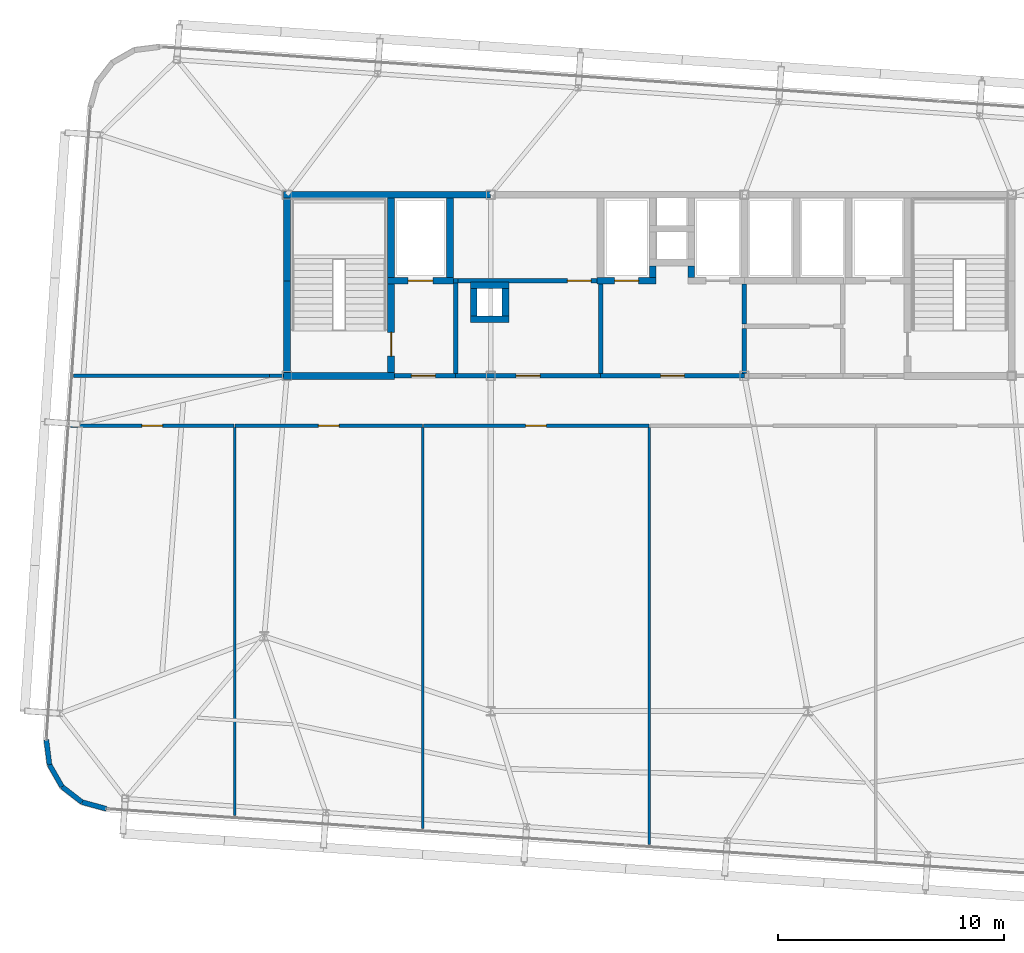
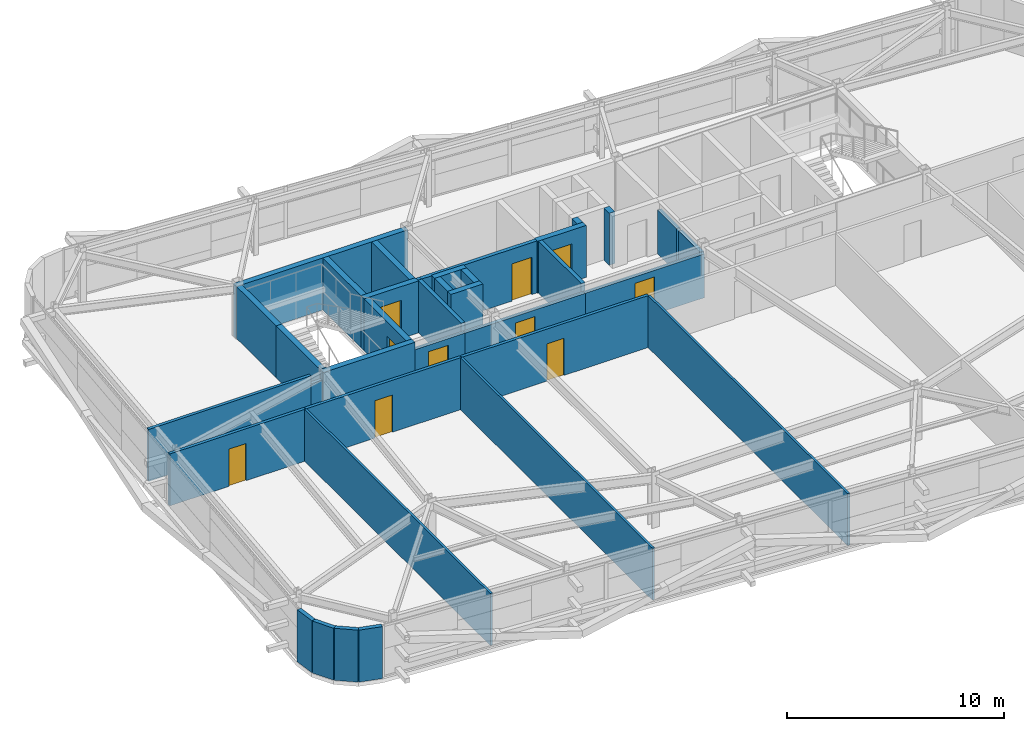
# One storey, part 35 of 39: 36 walls, 10 doors, 10 openings.
"""IFC4 building model written with IfcOpenShell, lengths in metres."""

from ifc_helpers import new_model, si_unit, direction, frame, frame_2d, origin, place, context, subcontext, project, spatial, rectangle, extrude, source, transform, mapped, material, layer, layer_set, type_object, element, fill, save


model = new_model("IFC4")

# Units and contexts
model_context = context("Model", 3, precision=1e-05, world=origin(), true_north=direction((0.0, 1.0)))
body_context = subcontext(model_context, "Body", "Model", "MODEL_VIEW")
ifc_project = project(units=[si_unit("LENGTHUNIT", "METRE"), si_unit("AREAUNIT", "SQUARE_METRE"), si_unit("VOLUMEUNIT", "CUBIC_METRE"), si_unit("PLANEANGLEUNIT", "RADIAN"), si_unit("MASSUNIT", "GRAM", prefix="KILO")], contexts=[model_context])

# Site, building, storey
site_placement = place(None, origin())
site = spatial("IfcSite", under=ifc_project, at=site_placement, CompositionType="ELEMENT")
building_placement = place(site_placement, origin())
building = spatial("IfcBuilding", under=site, at=building_placement, Name="Taldren Reach Tower", CompositionType="ELEMENT")
storey_placement = place(building_placement, frame((0.0, 0.0, 148.75)))
storey = spatial("IfcBuildingStorey", under=building, at=storey_placement, Name="L45", CompositionType="ELEMENT", Elevation=148.75)

# Walls
ifc_material_1 = material(Name="Pale Champagne Anodised Aluminium Cladding", Category="aluminium")
ifc_layer_1 = layer(ifc_material_1, 0.04, Name="Pale Champagne Anodised Aluminium Cladding", Category="aluminium")
ifc_material_2 = material(Name="Mineral Wool Acoustic Insulation", Category="insulation")
ifc_layer_2 = layer(ifc_material_2, 0.06, Name="Mineral Wool Acoustic Insulation", Category="insulation")
ifc_material_3 = material(Name="Steel Gr 350 (C350L0)", Category="steel")
ifc_layer_3 = layer(ifc_material_3, 0.12, Name="Steel Gr 350 (C350L0)", Category="steel")
ifc_layer_set_1 = layer_set([ifc_layer_1, ifc_layer_2, ifc_layer_3], Name="Pale Champagne Aluminium Cladding and Steel Gr 350 Stud Framing")
wall_type_1 = type_object("IfcWallType", Name="EW-CRN-220", PredefinedType="SOLIDWALL", material=ifc_layer_set_1)
shared_shape_1 = source(origin(), body_context, "Body", "SweptSolid", [
    extrude(rectangle(XDim=1.115966796875, YDim=0.219970703125, at=frame_2d((0.55810546875, 0.0))), origin(), (0.0, 0.0, 1.0), 2.929931640625),
])
for number, where, z_axis, x_axis, name in (
    (1, (8.37646484375, 7.93798828125, 0.0), (0.0, 0.0, 1.0), (0.126242535829, -0.991999406324, 0.0), "Rounded-corner pale-metal facade wall L45-SW1"),
    (2, (8.517333984375, 6.8310546875, 0.0), (0.0, 0.0, 1.0), (0.496138938357, -0.868243142124, 0.0), "Rounded-corner pale-metal facade wall L45-SW2"),
    (3, (9.071044921875, 5.862060546875, 0.0), (0.0, 0.0, 1.0), (0.790716874741, -0.612182018684, 0.0), "Rounded-corner pale-metal facade wall L45-SW3"),
    (4, (9.953369140625, 5.178955078125, 0.0), (0.0, 0.0, 1.0), (0.964804199372, -0.262969307856, 0.0), "Rounded-corner pale-metal facade wall L45-SW4"),
):
    element("IfcWall", number, at=place(storey_placement, frame(where, z_axis=z_axis, x_axis=x_axis)), inside=storey, type_object=wall_type_1, Name=name, PredefinedType="SOLIDWALL", context=body_context, shape_type="MappedRepresentation", body=[
        mapped(shared_shape_1, transform((0.0, 0.0, 0.0), scale=1.0)),
    ])
ifc_material_4 = material(Name="Concrete S50 (50 MPa)", Category="concrete")
ifc_layer_4 = layer(ifc_material_4, 0.199951171875)
ifc_layer_set_2 = layer_set([ifc_layer_4], Name="Concrete S50 (50 MPa)")
wall_type_2 = type_object("IfcWallType", Name="IW-CORE-200", PredefinedType="SOLIDWALL", material=ifc_layer_set_2)
shared_shape_2 = source(origin(), body_context, "Body", "SweptSolid", [
    extrude(rectangle(XDim=2.0, YDim=0.199951171875, at=frame_2d((1.0, 0.0))), origin(), (0.0, 0.0, 1.0), 2.469970703125),
])
wall_1_placement = place(storey_placement, frame((39.199951171875, 26.10009765625, 0.0), z_axis=(0.0, 0.0, 1.0), x_axis=(0.0, -1.0, 0.0)))
element("IfcWall", 5, at=wall_1_placement, inside=storey, type_object=wall_type_2, Name="Rear Core Shear Wall W-INT-L45-033", PredefinedType="SOLIDWALL", context=body_context, shape_type="MappedRepresentation", body=[
    mapped(shared_shape_2, transform((0.0, 0.0, 0.0), scale=1.0)),
])
ifc_material_5 = material(Name="Concrete S65 (65 MPa)", Category="concrete")
ifc_layer_5 = layer(ifc_material_5, 0.300048828125)
ifc_layer_set_3 = layer_set([ifc_layer_5], Name="Concrete S65 (65 MPa)")
wall_type_3 = type_object("IfcWallType", Name="IW-CORE-300", PredefinedType="SHEAR", material=ifc_layer_set_3)
shared_shape_3 = source(origin(), body_context, "Body", "SweptSolid", [
    extrude(rectangle(XDim=9.14990234375, YDim=0.300048828125, at=frame_2d((4.574951171875, 0.0))), origin(), (0.0, 0.0, 1.0), 2.929931640625),
])
wall_2_placement = place(storey_placement, frame((18.85009765625, 32.0, 0.0), z_axis=(0.0, 0.0, 1.0), x_axis=(1.0, 0.0, 0.0)))
element("IfcWall", 6, at=wall_2_placement, inside=storey, type_object=wall_type_3, Name="Rear Core Shear Wall W-CORE-L45-NORTH1", PredefinedType="SHEAR", context=body_context, shape_type="MappedRepresentation", body=[
    mapped(shared_shape_3, transform((0.0, 0.0, 0.0), scale=1.0)),
])
shared_shape_4 = source(origin(), body_context, "Body", "SweptSolid", [
    extrude(rectangle(XDim=4.050048828125, YDim=0.300048828125, at=frame_2d((2.02490234375, 0.0))), origin(), (0.0, 0.0, 1.0), 2.929931640625),
])
wall_3_placement = place(storey_placement, frame((19.0, 24.14990234375, 0.0), z_axis=(0.0, 0.0, 1.0), x_axis=(0.0, 1.0, 0.0)))
element("IfcWall", 7, at=wall_3_placement, inside=storey, type_object=wall_type_3, Name="Rear Core Shear Wall W-CORE-L45-WEST1", PredefinedType="SHEAR", context=body_context, shape_type="MappedRepresentation", body=[
    mapped(shared_shape_4, transform((0.0, 0.0, 0.0), scale=1.0)),
])
shared_shape_5 = source(origin(), body_context, "Body", "SweptSolid", [
    extrude(rectangle(XDim=3.650146484375, YDim=0.300048828125, at=frame_2d((1.8251953125, 0.0))), origin(), (0.0, 0.0, 1.0), 2.929931640625),
])
wall_4_placement = place(storey_placement, frame((19.0, 28.199951171875, 0.0), z_axis=(0.0, 0.0, 1.0), x_axis=(0.0, 1.0, 0.0)))
element("IfcWall", 8, at=wall_4_placement, inside=storey, type_object=wall_type_3, Name="Rear Core Shear Wall W-CORE-L45-WEST2", PredefinedType="SHEAR", context=body_context, shape_type="MappedRepresentation", body=[
    mapped(shared_shape_5, transform((0.0, 0.0, 0.0), scale=1.0)),
])
shared_shape_6 = source(origin(), body_context, "Body", "SweptSolid", [
    extrude(rectangle(XDim=3.5, YDim=0.300048828125, at=frame_2d((1.75, 0.0))), origin(), (0.0, 0.0, 1.0), 2.929931640625),
])
for number, where, z_axis, x_axis, name in (
    (9, (23.60009765625, 28.35009765625, 0.0), (0.0, 0.0, 1.0), (0.0, 1.0, 0.0), "Rear Core Shear Wall W-INT-L45-001"),
    (10, (26.199951171875, 28.35009765625, 0.0), (0.0, 0.0, 1.0), (0.0, 1.0, 0.0), "Rear Core Shear Wall W-INT-L45-005"),
):
    element("IfcWall", number, at=place(storey_placement, frame(where, z_axis=z_axis, x_axis=x_axis)), inside=storey, type_object=wall_type_3, Name=name, PredefinedType="SHEAR", context=body_context, shape_type="MappedRepresentation", body=[
        mapped(shared_shape_6, transform((0.0, 0.0, 0.0), scale=1.0)),
    ])

# Wall, opening, door
shared_shape_7 = source(origin(), body_context, "Body", "SweptSolid", [
    extrude(rectangle(XDim=3.900146484375, YDim=0.300048828125, at=frame_2d((1.9501953125, 0.0))), origin(), (0.0, 0.0, 1.0), 2.929931640625),
])
wall_5_placement = place(storey_placement, frame((23.60009765625, 24.14990234375, 0.0), z_axis=(0.0, 0.0, 1.0), x_axis=(0.0, 1.0, 0.0)))
wall_5 = element("IfcWall", 11, at=wall_5_placement, inside=storey, type_object=wall_type_3, Name="Rear Core Shear Wall W-INT-L45-002", PredefinedType="SHEAR", context=body_context, shape_type="MappedRepresentation", body=[
    mapped(shared_shape_7, transform((0.0, 0.0, 0.0), scale=1.0)),
])
shared_shape_8 = source(origin(), body_context, "Body", "SweptSolid", [
    extrude(rectangle(XDim=1.050048828125, YDim=2.10009765625, at=frame_2d((0.52490234375, 1.050048828125))), frame((0.0, 0.16015625, 0.0), z_axis=(0.0, -1.0, 0.0), x_axis=(1.0, 0.0, 0.0)), (0.0, 0.0, 1.0), 0.320068359375),
])
opening_1_placement = place(wall_5_placement, frame((0.72509765625, 0.0, 0.0)))
opening_1 = element("IfcOpeningElement", 12, at=opening_1_placement, cuts=wall_5, Name="Opening DF-105", PredefinedType="OPENING", context=body_context, shape_type="MappedRepresentation", body=[
    mapped(shared_shape_8, transform((0.0, 0.0, 0.0), scale=1.0)),
])
ifc_material_6 = material(Name="Fire-Rated Care and Stair Exit Door")
door_type_1 = type_object("IfcDoorType", Name="ID-FIRE-105", OperationType="NOTDEFINED", PredefinedType="DOOR", material=ifc_material_6)
shared_shape_9 = source(origin(), body_context, "Body", "SweptSolid", [
    extrude(rectangle(XDim=1.050048828125, YDim=2.10009765625, at=frame_2d((0.52490234375, 1.050048828125))), frame((0.0, 0.02490234375, 0.0), z_axis=(0.0, -1.0, 0.0), x_axis=(1.0, 0.0, 0.0)), (0.0, 0.0, 1.0), 0.050048828125),
])
door_1_placement = place(opening_1_placement, origin())
door_1 = element("IfcDoor", 13, at=door_1_placement, inside=storey, type_object=door_type_1, Name="Fire Exit Stair Door DR-L45-001", OperationType="SINGLE_SWING_LEFT", OverallHeight=2.10009765625, OverallWidth=1.050048828125, PredefinedType="DOOR", context=body_context, shape_type="MappedRepresentation", body=[
    mapped(shared_shape_9, transform((0.0, 0.0, 0.0), scale=1.0)),
])
fill(opening_1, door_1)

# Wall
shared_shape_10 = source(origin(), body_context, "Body", "SweptSolid", [
    extrude(rectangle(XDim=4.89990234375, YDim=0.300048828125, at=frame_2d((2.449951171875, 0.0))), origin(), (0.0, 0.0, 1.0), 2.929931640625),
])
wall_6_placement = place(storey_placement, frame((18.85009765625, 24.0, 0.0), z_axis=(0.0, 0.0, 1.0), x_axis=(1.0, 0.0, 0.0)))
element("IfcWall", 14, at=wall_6_placement, inside=storey, type_object=wall_type_3, Name="Rear Core Shear Wall W-INT-L45-003", PredefinedType="SHEAR", context=body_context, shape_type="MappedRepresentation", body=[
    mapped(shared_shape_10, transform((0.0, 0.0, 0.0), scale=1.0)),
])

# Wall, opening, door
shared_shape_11 = source(origin(), body_context, "Body", "SweptSolid", [
    extrude(rectangle(XDim=2.900146484375, YDim=0.300048828125, at=frame_2d((1.4501953125, 0.0))), origin(), (0.0, 0.0, 1.0), 2.929931640625),
])
wall_7_placement = place(storey_placement, frame((23.449951171875, 28.199951171875, 0.0), z_axis=(0.0, 0.0, 1.0), x_axis=(1.0, 0.0, 0.0)))
wall_7 = element("IfcWall", 15, at=wall_7_placement, inside=storey, type_object=wall_type_3, Name="Rear Core Shear Wall W-INT-L45-004", PredefinedType="SHEAR", context=body_context, shape_type="MappedRepresentation", body=[
    mapped(shared_shape_11, transform((0.0, 0.0, 0.0), scale=1.0)),
])
shared_shape_12 = source(origin(), body_context, "Body", "SweptSolid", [
    extrude(rectangle(XDim=1.10009765625, YDim=2.14990234375, at=frame_2d((0.550048828125, 1.074951171875))), frame((0.0, 0.16015625, 0.0), z_axis=(0.0, -1.0, 0.0), x_axis=(1.0, 0.0, 0.0)), (0.0, 0.0, 1.0), 0.320068359375),
])
opening_2_placement = place(wall_7_placement, frame((0.89990234375, 0.0, 0.0)))
opening_2 = element("IfcOpeningElement", 16, at=opening_2_placement, cuts=wall_7, Name="Opening LD-FL1", PredefinedType="OPENING", context=body_context, shape_type="MappedRepresentation", body=[
    mapped(shared_shape_12, transform((0.0, 0.0, 0.0), scale=1.0)),
])
ifc_material_7 = material(Name="Stainless Steel Gr 316 Emergency Lift Landing Door", Category="steel")
door_type_2 = type_object("IfcDoorType", Name="LD-EMG-110", OperationType="SLIDING_TO_LEFT", PredefinedType="DOOR", material=ifc_material_7)
shared_shape_13 = source(origin(), body_context, "Body", "SweptSolid", [
    extrude(rectangle(XDim=1.10009765625, YDim=2.14990234375, at=frame_2d((0.550048828125, 1.074951171875))), frame((0.0, 0.02490234375, 0.0), z_axis=(0.0, -1.0, 0.0), x_axis=(1.0, 0.0, 0.0)), (0.0, 0.0, 1.0), 0.050048828125),
])
door_2_placement = place(opening_2_placement, origin())
door_2 = element("IfcDoor", 17, at=door_2_placement, inside=storey, type_object=door_type_2, Name="Lift Landing Door LD-FL1-L45", OperationType="SLIDING_TO_LEFT", OverallHeight=2.14990234375, OverallWidth=1.10009765625, PredefinedType="DOOR", context=body_context, shape_type="MappedRepresentation", body=[
    mapped(shared_shape_13, transform((0.0, 0.0, 0.0), scale=1.0)),
])
fill(opening_2, door_2)

# Wall
shared_shape_14 = source(origin(), body_context, "Body", "SweptSolid", [
    extrude(rectangle(XDim=3.949951171875, YDim=0.199951171875, at=frame_2d((1.97509765625, 0.0))), origin(), (0.0, 0.0, 1.0), 2.929931640625),
])
wall_8_placement = place(storey_placement, frame((32.85009765625, 24.10009765625, 0.0), z_axis=(0.0, 0.0, 1.0), x_axis=(0.0, 1.0, 0.0)))
element("IfcWall", 18, at=wall_8_placement, inside=storey, type_object=wall_type_2, Name="Rear Core Shear Wall W-INT-L45-032", PredefinedType="SOLIDWALL", context=body_context, shape_type="MappedRepresentation", body=[
    mapped(shared_shape_14, transform((0.0, 0.0, 0.0), scale=1.0)),
])

# Wall, opening, door
shared_shape_15 = source(origin(), body_context, "Body", "SweptSolid", [
    extrude(rectangle(XDim=2.699951171875, YDim=0.199951171875, at=frame_2d((1.35009765625, 0.0))), origin(), (0.0, 0.0, 1.0), 2.469970703125),
])
wall_9_placement = place(storey_placement, frame((23.75, 24.0, 0.0), z_axis=(0.0, 0.0, 1.0), x_axis=(1.0, 0.0, 0.0)))
wall_9 = element("IfcWall", 19, at=wall_9_placement, inside=storey, type_object=wall_type_2, Name="Rear Core Shear Wall W-INT-L45-007", PredefinedType="SOLIDWALL", context=body_context, shape_type="MappedRepresentation", body=[
    mapped(shared_shape_15, transform((0.0, 0.0, 0.0), scale=1.0)),
])
shared_shape_16 = source(origin(), body_context, "Body", "SweptSolid", [
    extrude(rectangle(XDim=1.050048828125, YDim=2.10009765625, at=frame_2d((0.52490234375, 1.050048828125))), frame((0.0, 0.10986328125, 0.0), z_axis=(0.0, -1.0, 0.0), x_axis=(1.0, 0.0, 0.0)), (0.0, 0.0, 1.0), 0.219970703125),
])
opening_3_placement = place(wall_9_placement, frame((0.75, 0.0, 0.0)))
opening_3 = element("IfcOpeningElement", 20, at=opening_3_placement, cuts=wall_9, Name="Opening DF-105", PredefinedType="OPENING", context=body_context, shape_type="MappedRepresentation", body=[
    mapped(shared_shape_16, transform((0.0, 0.0, 0.0), scale=1.0)),
])
door_3_placement = place(opening_3_placement, origin())
door_3 = element("IfcDoor", 21, at=door_3_placement, inside=storey, type_object=door_type_1, Name="Interior Door DR-L45-002", OperationType="SINGLE_SWING_LEFT", OverallHeight=2.10009765625, OverallWidth=1.050048828125, PredefinedType="DOOR", context=body_context, shape_type="MappedRepresentation", body=[
    mapped(shared_shape_9, transform((0.0, 0.0, 0.0), scale=1.0)),
])
fill(opening_3, door_3)

# Walls
shared_shape_17 = source(origin(), body_context, "Body", "SweptSolid", [
    extrude(rectangle(XDim=1.2001953125, YDim=0.300048828125, at=frame_2d((0.60009765625, 0.0))), origin(), (0.0, 0.0, 1.0), 2.929931640625),
])
for number, where, z_axis, x_axis, name in (
    (22, (28.64990234375, 26.64990234375, 0.0), (0.0, 0.0, 1.0), (0.0, 1.0, 0.0), "Rear Core Shear Wall W-INT-L45-022"),
    (23, (27.25, 27.85009765625, 0.0), (0.0, 0.0, 1.0), (0.0, -1.0, 0.0), "Rear Core Shear Wall W-INT-L45-023"),
):
    element("IfcWall", number, at=place(storey_placement, frame(where, z_axis=z_axis, x_axis=x_axis)), inside=storey, type_object=wall_type_3, Name=name, PredefinedType="SHEAR", context=body_context, shape_type="MappedRepresentation", body=[
        mapped(shared_shape_17, transform((0.0, 0.0, 0.0), scale=1.0)),
    ])
shared_shape_18 = source(origin(), body_context, "Body", "SweptSolid", [
    extrude(rectangle(XDim=0.5, YDim=0.300048828125, at=frame_2d((0.25, 0.0))), origin(), (0.0, 0.0, 1.0), 2.929931640625),
])
for number, where, z_axis, x_axis, name in (
    (24, (35.14990234375, 28.35009765625, 0.0), (0.0, 0.0, 1.0), (0.0, 1.0, 0.0), "Rear Core Shear Wall W-INT-L45-027"),
    (25, (36.85009765625, 28.85009765625, 0.0), (0.0, 0.0, 1.0), (0.0, -1.0, 0.0), "Rear Core Shear Wall W-INT-L45-030"),
):
    element("IfcWall", number, at=place(storey_placement, frame(where, z_axis=z_axis, x_axis=x_axis)), inside=storey, type_object=wall_type_3, Name=name, PredefinedType="SHEAR", context=body_context, shape_type="MappedRepresentation", body=[
        mapped(shared_shape_18, transform((0.0, 0.0, 0.0), scale=1.0)),
    ])

# Wall, opening, door
shared_shape_19 = source(origin(), body_context, "Body", "SweptSolid", [
    extrude(rectangle(XDim=2.60009765625, YDim=0.300048828125, at=frame_2d((1.300048828125, 0.0))), origin(), (0.0, 0.0, 1.0), 2.929931640625),
])
wall_10_placement = place(storey_placement, frame((32.699951171875, 28.199951171875, 0.0), z_axis=(0.0, 0.0, 1.0), x_axis=(1.0, 0.0, 0.0)))
wall_10 = element("IfcWall", 26, at=wall_10_placement, inside=storey, type_object=wall_type_3, Name="Rear Core Shear Wall W-INT-L45-026", PredefinedType="SHEAR", context=body_context, shape_type="MappedRepresentation", body=[
    mapped(shared_shape_19, transform((0.0, 0.0, 0.0), scale=1.0)),
])
shared_shape_20 = source(origin(), body_context, "Body", "SweptSolid", [
    extrude(rectangle(XDim=1.050048828125, YDim=2.14990234375, at=frame_2d((0.52490234375, 1.074951171875))), frame((0.0, 0.16015625, 0.0), z_axis=(0.0, -1.0, 0.0), x_axis=(1.0, 0.0, 0.0)), (0.0, 0.0, 1.0), 0.320068359375),
])
opening_4_placement = place(wall_10_placement, frame((0.77490234375, 0.0, 0.0)))
opening_4 = element("IfcOpeningElement", 27, at=opening_4_placement, cuts=wall_10, Name="Opening LD-PM1", PredefinedType="OPENING", context=body_context, shape_type="MappedRepresentation", body=[
    mapped(shared_shape_20, transform((0.0, 0.0, 0.0), scale=1.0)),
])
ifc_material_8 = material(Name="Stainless Steel Gr 316 Passenger Lift Landing Door", Category="steel")
door_type_3 = type_object("IfcDoorType", Name="LD-PAS-105", OperationType="SLIDING_TO_LEFT", PredefinedType="DOOR", material=ifc_material_8)
shared_shape_21 = source(origin(), body_context, "Body", "SweptSolid", [
    extrude(rectangle(XDim=1.050048828125, YDim=2.14990234375, at=frame_2d((0.52490234375, 1.074951171875))), frame((0.0, 0.02490234375, 0.0), z_axis=(0.0, -1.0, 0.0), x_axis=(1.0, 0.0, 0.0)), (0.0, 0.0, 1.0), 0.050048828125),
])
door_4_placement = place(opening_4_placement, origin())
door_4 = element("IfcDoor", 28, at=door_4_placement, inside=storey, type_object=door_type_3, Name="Lift Landing Door LD-PM1-L45", OperationType="SLIDING_TO_LEFT", OverallHeight=2.14990234375, OverallWidth=1.050048828125, PredefinedType="DOOR", context=body_context, shape_type="MappedRepresentation", body=[
    mapped(shared_shape_21, transform((0.0, 0.0, 0.0), scale=1.0)),
])
fill(opening_4, door_4)

# Walls
shared_shape_22 = source(origin(), body_context, "Body", "SweptSolid", [
    extrude(rectangle(XDim=4.0, YDim=0.199951171875, at=frame_2d((2.0, 0.0))), origin(), (0.0, 0.0, 1.0), 2.929931640625),
])
wall_11_placement = place(storey_placement, frame((26.449951171875, 24.10009765625, 0.0), z_axis=(0.0, 0.0, 1.0), x_axis=(0.0, 1.0, 0.0)))
element("IfcWall", 29, at=wall_11_placement, inside=storey, type_object=wall_type_2, Name="Rear Core Shear Wall W-INT-L45-006", PredefinedType="SOLIDWALL", context=body_context, shape_type="MappedRepresentation", body=[
    mapped(shared_shape_22, transform((0.0, 0.0, 0.0), scale=1.0)),
])
shared_shape_23 = source(origin(), body_context, "Body", "SweptSolid", [
    extrude(rectangle(XDim=1.699951171875, YDim=0.300048828125, at=frame_2d((0.85009765625, 0.0))), origin(), (0.0, 0.0, 1.0), 2.929931640625),
])
for number, where, z_axis, x_axis, name in (
    (30, (28.800048828125, 28.0, 0.0), (0.0, 0.0, 1.0), (-1.0, 0.0, 0.0), "Rear Core Shear Wall W-INT-L45-024"),
    (31, (27.10009765625, 26.5, 0.0), (0.0, 0.0, 1.0), (1.0, 0.0, 0.0), "Rear Core Shear Wall W-INT-L45-025"),
):
    element("IfcWall", number, at=place(storey_placement, frame(where, z_axis=z_axis, x_axis=x_axis)), inside=storey, type_object=wall_type_3, Name=name, PredefinedType="SHEAR", context=body_context, shape_type="MappedRepresentation", body=[
        mapped(shared_shape_23, transform((0.0, 0.0, 0.0), scale=1.0)),
    ])

# Wall, opening, door
shared_shape_24 = source(origin(), body_context, "Body", "SweptSolid", [
    extrude(rectangle(XDim=6.349853515625, YDim=0.199951171875, at=frame_2d((3.1748046875, 0.0))), origin(), (0.0, 0.0, 1.0), 2.469970703125),
])
wall_12_placement = place(storey_placement, frame((39.199951171875, 24.0, 0.0), z_axis=(0.0, 0.0, 1.0), x_axis=(-1.0, 0.0, 0.0)))
wall_12 = element("IfcWall", 32, at=wall_12_placement, inside=storey, type_object=wall_type_2, Name="Rear Core Shear Wall W-INT-L45-035", PredefinedType="SOLIDWALL", context=body_context, shape_type="MappedRepresentation", body=[
    mapped(shared_shape_24, transform((0.0, 0.0, 0.0), scale=1.0)),
])
opening_5_placement = place(wall_12_placement, frame((2.64990234375, 0.0, 0.0)))
opening_5 = element("IfcOpeningElement", 33, at=opening_5_placement, cuts=wall_12, Name="Opening DF-105", PredefinedType="OPENING", context=body_context, shape_type="MappedRepresentation", body=[
    mapped(shared_shape_16, transform((0.0, 0.0, 0.0), scale=1.0)),
])
door_5_placement = place(opening_5_placement, frame((1.050048828125, 0.0, 0.0), z_axis=(0.0, 0.0, 1.0), x_axis=(-1.0, 0.0, 0.0)))
door_5 = element("IfcDoor", 34, at=door_5_placement, inside=storey, type_object=door_type_1, Name="Interior Door DR-L45-005", OperationType="SINGLE_SWING_LEFT", OverallHeight=2.10009765625, OverallWidth=1.050048828125, PredefinedType="DOOR", context=body_context, shape_type="MappedRepresentation", body=[
    mapped(shared_shape_9, transform((0.0, 0.0, 0.0), scale=1.0)),
])
fill(opening_5, door_5)

# Walls
ifc_material_9 = material(Name="Fire-Rated Acoustic Plasterboard Stud Wall", Category="gypsum")
ifc_layer_6 = layer(ifc_material_9, 0.159912109375)
ifc_layer_set_4 = layer_set([ifc_layer_6], Name="Fire-Rated Acoustic Plasterboard Stud Wall")
wall_type_4 = type_object("IfcWallType", Name="IW-FIRE-160", PredefinedType="PARTITIONING", material=ifc_layer_set_4)
shared_shape_25 = source(origin(), body_context, "Body", "SweptSolid", [
    extrude(rectangle(XDim=8.65234375, YDim=0.159912109375, at=frame_2d((4.326171875, 0.0))), origin(), (0.0, 0.0, 1.0), 2.929931640625),
])
wall_13_placement = place(storey_placement, frame((9.584228515625, 24.0, 0.0), z_axis=(0.0, 0.0, 1.0), x_axis=(1.0, 0.0, 0.0)))
element("IfcWall", 35, at=wall_13_placement, inside=storey, type_object=wall_type_4, Name="Interior Partition Wall W-INT-L45-050", PredefinedType="PARTITIONING", context=body_context, shape_type="MappedRepresentation", body=[
    mapped(shared_shape_25, transform((0.0, 0.0, 0.0), scale=1.0)),
])
shared_shape_26 = source(origin(), body_context, "Body", "SweptSolid", [
    extrude(rectangle(XDim=0.613525390625, YDim=0.159912109375, at=frame_2d((0.306640625, 0.0))), origin(), (0.0, 0.0, 1.0), 2.469970703125),
])
wall_14_placement = place(storey_placement, frame((18.236572265625, 24.0, 0.0), z_axis=(0.0, 0.0, 1.0), x_axis=(1.0, 0.0, 0.0)))
element("IfcWall", 36, at=wall_14_placement, inside=storey, type_object=wall_type_4, Name="Interior Partition Wall W-INT-L45-050 part 2", PredefinedType="PARTITIONING", context=body_context, shape_type="MappedRepresentation", body=[
    mapped(shared_shape_26, transform((0.0, 0.0, 0.0), scale=1.0)),
])
shared_shape_27 = source(origin(), body_context, "Body", "SweptSolid", [
    extrude(rectangle(XDim=0.199951171875, YDim=0.199951171875, at=frame_2d((0.10009765625, 0.0))), origin(), (0.0, 0.0, 1.0), 2.929931640625),
])
wall_15_placement = place(storey_placement, frame((26.35009765625, 28.199951171875, 0.0), z_axis=(0.0, 0.0, 1.0), x_axis=(1.0, 0.0, 0.0)))
element("IfcWall", 37, at=wall_15_placement, inside=storey, type_object=wall_type_2, Name="Rear Core Partition Wall W-INT-L45-056", PredefinedType="SOLIDWALL", context=body_context, shape_type="MappedRepresentation", body=[
    mapped(shared_shape_27, transform((0.0, 0.0, 0.0), scale=1.0)),
])
shared_shape_28 = source(origin(), body_context, "Body", "SweptSolid", [
    extrude(rectangle(XDim=1.75, YDim=0.199951171875, at=frame_2d((0.875, 0.0))), origin(), (0.0, 0.0, 1.0), 2.469970703125),
])
wall_16_placement = place(storey_placement, frame((39.199951171875, 28.050048828125, 0.0), z_axis=(0.0, 0.0, 1.0), x_axis=(0.0, -1.0, 0.0)))
element("IfcWall", 38, at=wall_16_placement, inside=storey, type_object=wall_type_2, Name="Rear Core Shear Wall W-INT-L45-034", PredefinedType="SOLIDWALL", context=body_context, shape_type="MappedRepresentation", body=[
    mapped(shared_shape_28, transform((0.0, 0.0, 0.0), scale=1.0)),
])

# Wall, opening, door
shared_shape_29 = source(origin(), body_context, "Body", "SweptSolid", [
    extrude(rectangle(XDim=6.25, YDim=0.199951171875, at=frame_2d((3.125, 0.0))), origin(), (0.0, 0.0, 1.0), 2.929931640625),
])
wall_17_placement = place(storey_placement, frame((26.449951171875, 28.199951171875, 0.0), z_axis=(0.0, 0.0, 1.0), x_axis=(1.0, 0.0, 0.0)))
wall_17 = element("IfcWall", 39, at=wall_17_placement, inside=storey, type_object=wall_type_2, Name="Rear Core Shear Wall W-INT-L45-039", PredefinedType="SOLIDWALL", context=body_context, shape_type="MappedRepresentation", body=[
    mapped(shared_shape_29, transform((0.0, 0.0, 0.0), scale=1.0)),
])
opening_6_placement = place(wall_17_placement, frame((4.929931640625, 0.0, 0.0)))
opening_6 = element("IfcOpeningElement", 40, at=opening_6_placement, cuts=wall_17, Name="Opening DF-105", PredefinedType="OPENING", context=body_context, shape_type="MappedRepresentation", body=[
    mapped(shared_shape_16, transform((0.0, 0.0, 0.0), scale=1.0)),
])
door_6_placement = place(opening_6_placement, origin())
door_6 = element("IfcDoor", 41, at=door_6_placement, inside=storey, type_object=door_type_1, Name="Interior Door DR-L45-006", OperationType="SINGLE_SWING_RIGHT", OverallHeight=2.10009765625, OverallWidth=1.050048828125, PredefinedType="DOOR", context=body_context, shape_type="MappedRepresentation", body=[
    mapped(shared_shape_9, transform((0.0, 0.0, 0.0), scale=1.0)),
])
fill(opening_6, door_6)

shared_shape_30 = source(origin(), body_context, "Body", "SweptSolid", [
    extrude(rectangle(XDim=6.400146484375, YDim=0.199951171875, at=frame_2d((3.2001953125, 0.0))), origin(), (0.0, 0.0, 1.0), 2.469970703125),
])
wall_18_placement = place(storey_placement, frame((32.85009765625, 24.0, 0.0), z_axis=(0.0, 0.0, 1.0), x_axis=(-1.0, 0.0, 0.0)))
wall_18 = element("IfcWall", 42, at=wall_18_placement, inside=storey, type_object=wall_type_2, Name="Rear Core Shear Wall W-INT-L45-040", PredefinedType="SOLIDWALL", context=body_context, shape_type="MappedRepresentation", body=[
    mapped(shared_shape_30, transform((0.0, 0.0, 0.0), scale=1.0)),
])
opening_7_placement = place(wall_18_placement, frame((2.675048828125, 0.0, 0.0)))
opening_7 = element("IfcOpeningElement", 43, at=opening_7_placement, cuts=wall_18, Name="Opening DF-105", PredefinedType="OPENING", context=body_context, shape_type="MappedRepresentation", body=[
    mapped(shared_shape_16, transform((0.0, 0.0, 0.0), scale=1.0)),
])
door_7_placement = place(opening_7_placement, frame((1.050048828125, 0.0, 0.0), z_axis=(0.0, 0.0, 1.0), x_axis=(-1.0, 0.0, 0.0)))
door_7 = element("IfcDoor", 44, at=door_7_placement, inside=storey, type_object=door_type_1, Name="Interior Door DR-L45-007", OperationType="SINGLE_SWING_LEFT", OverallHeight=2.10009765625, OverallWidth=1.050048828125, PredefinedType="DOOR", context=body_context, shape_type="MappedRepresentation", body=[
    mapped(shared_shape_9, transform((0.0, 0.0, 0.0), scale=1.0)),
])
fill(opening_7, door_7)

shared_shape_31 = source(origin(), body_context, "Body", "SweptSolid", [
    extrude(rectangle(XDim=7.232177734375, YDim=0.159912109375, at=frame_2d((3.6162109375, 0.0))), origin(), (0.0, 0.0, 1.0), 2.929931640625),
])
wall_19_placement = place(storey_placement, frame((16.673583984375, 21.800048828125, 0.0), z_axis=(0.0, 0.0, 1.0), x_axis=(-1.0, 0.0, 0.0)))
wall_19 = element("IfcWall", 45, at=wall_19_placement, inside=storey, type_object=wall_type_4, Name="Interior Partition Wall W-INT-L45-043", PredefinedType="PARTITIONING", context=body_context, shape_type="MappedRepresentation", body=[
    mapped(shared_shape_31, transform((0.0, 0.0, 0.0), scale=1.0)),
])
shared_shape_32 = source(origin(), body_context, "Body", "SweptSolid", [
    extrude(rectangle(XDim=0.919921875, YDim=2.10009765625, at=frame_2d((0.4599609375, 1.050048828125))), frame((0.0, 0.08984375, 0.0), z_axis=(0.0, -1.0, 0.0), x_axis=(1.0, 0.0, 0.0)), (0.0, 0.0, 1.0), 0.179931640625),
])
opening_8_placement = place(wall_19_placement, frame((3.156005859375, 0.0, 0.0)))
opening_8 = element("IfcOpeningElement", 46, at=opening_8_placement, cuts=wall_19, Name="Opening DI-092", PredefinedType="OPENING", context=body_context, shape_type="MappedRepresentation", body=[
    mapped(shared_shape_32, transform((0.0, 0.0, 0.0), scale=1.0)),
])
ifc_material_10 = material(Name="Solid-Core Timber Suite Door", Category="wood")
door_type_4 = type_object("IfcDoorType", Name="ID-INT-092", OperationType="NOTDEFINED", PredefinedType="DOOR", material=ifc_material_10)
shared_shape_33 = source(origin(), body_context, "Body", "SweptSolid", [
    extrude(rectangle(XDim=0.919921875, YDim=2.10009765625, at=frame_2d((0.4599609375, 1.050048828125))), frame((0.0, 0.02490234375, 0.0), z_axis=(0.0, -1.0, 0.0), x_axis=(1.0, 0.0, 0.0)), (0.0, 0.0, 1.0), 0.050048828125),
])
door_8_placement = place(opening_8_placement, origin())
door_8 = element("IfcDoor", 47, at=door_8_placement, inside=storey, type_object=door_type_4, Name="Interior Door DR-L45-010", OperationType="SINGLE_SWING_LEFT", OverallHeight=2.10009765625, OverallWidth=0.919921875, PredefinedType="DOOR", context=body_context, shape_type="MappedRepresentation", body=[
    mapped(shared_shape_33, transform((0.0, 0.0, 0.0), scale=1.0)),
])
fill(opening_8, door_8)

shared_shape_34 = source(origin(), body_context, "Body", "SweptSolid", [
    extrude(rectangle(XDim=8.265380859375, YDim=0.159912109375, at=frame_2d((4.1328125, 0.0))), origin(), (0.0, 0.0, 1.0), 2.929931640625),
])
wall_20_placement = place(storey_placement, frame((24.9794921875, 21.800048828125, 0.0), z_axis=(0.0, 0.0, 1.0), x_axis=(-1.0, 0.0, 0.0)))
wall_20 = element("IfcWall", 48, at=wall_20_placement, inside=storey, type_object=wall_type_4, Name="Interior Partition Wall W-INT-L45-044", PredefinedType="PARTITIONING", context=body_context, shape_type="MappedRepresentation", body=[
    mapped(shared_shape_34, transform((0.0, 0.0, 0.0), scale=1.0)),
])
opening_9_placement = place(wall_20_placement, frame((3.672607421875, 0.0, 0.0)))
opening_9 = element("IfcOpeningElement", 49, at=opening_9_placement, cuts=wall_20, Name="Opening DI-092", PredefinedType="OPENING", context=body_context, shape_type="MappedRepresentation", body=[
    mapped(shared_shape_32, transform((0.0, 0.0, 0.0), scale=1.0)),
])
door_9_placement = place(opening_9_placement, origin())
door_9 = element("IfcDoor", 50, at=door_9_placement, inside=storey, type_object=door_type_4, Name="Interior Door DR-L45-011", OperationType="SINGLE_SWING_RIGHT", OverallHeight=2.10009765625, OverallWidth=0.919921875, PredefinedType="DOOR", context=body_context, shape_type="MappedRepresentation", body=[
    mapped(shared_shape_33, transform((0.0, 0.0, 0.0), scale=1.0)),
])
fill(opening_9, door_9)

shared_shape_35 = source(origin(), body_context, "Body", "SweptSolid", [
    extrude(rectangle(XDim=9.959228515625, YDim=0.159912109375, at=frame_2d((4.9794921875, 0.0))), origin(), (0.0, 0.0, 1.0), 2.929931640625),
])
wall_21_placement = place(storey_placement, frame((34.979736328125, 21.800048828125, 0.0), z_axis=(0.0, 0.0, 1.0), x_axis=(-1.0, 0.0, 0.0)))
wall_21 = element("IfcWall", 51, at=wall_21_placement, inside=storey, type_object=wall_type_4, Name="Interior Partition Wall W-INT-L45-045", PredefinedType="PARTITIONING", context=body_context, shape_type="MappedRepresentation", body=[
    mapped(shared_shape_35, transform((0.0, 0.0, 0.0), scale=1.0)),
])
opening_10_placement = place(wall_21_placement, frame((4.51953125, 0.0, 0.0)))
opening_10 = element("IfcOpeningElement", 52, at=opening_10_placement, cuts=wall_21, Name="Opening DI-092", PredefinedType="OPENING", context=body_context, shape_type="MappedRepresentation", body=[
    mapped(shared_shape_32, transform((0.0, 0.0, 0.0), scale=1.0)),
])
door_10_placement = place(opening_10_placement, origin())
door_10 = element("IfcDoor", 53, at=door_10_placement, inside=storey, type_object=door_type_4, Name="Interior Door DR-L45-012", OperationType="SINGLE_SWING_LEFT", OverallHeight=2.10009765625, OverallWidth=0.919921875, PredefinedType="DOOR", context=body_context, shape_type="MappedRepresentation", body=[
    mapped(shared_shape_33, transform((0.0, 0.0, 0.0), scale=1.0)),
])
fill(opening_10, door_10)

# Walls
ifc_material_11 = material(Name="Insulated Residential Stud Partition", Category="gypsum")
ifc_layer_7 = layer(ifc_material_11, 0.1201171875)
ifc_layer_set_5 = layer_set([ifc_layer_7], Name="Insulated Residential Stud Partition")
wall_type_5 = type_object("IfcWallType", Name="IW-PART-120", PredefinedType="PARTITIONING", material=ifc_layer_set_5)
shared_shape_36 = source(origin(), body_context, "Body", "SweptSolid", [
    extrude(rectangle(XDim=17.130859375, YDim=0.1201171875, at=frame_2d((8.5654296875, 0.0))), origin(), (0.0, 0.0, 1.0), 2.929931640625),
])
wall_22_placement = place(storey_placement, frame((16.69384765625, 21.718017578125, 0.0), z_axis=(0.0, 0.0, 1.0), x_axis=(0.0, -1.0, 0.0)))
element("IfcWall", 54, at=wall_22_placement, inside=storey, type_object=wall_type_5, Name="Interior Partition Wall W-INT-L45-051", PredefinedType="PARTITIONING", context=body_context, shape_type="MappedRepresentation", body=[
    mapped(shared_shape_36, transform((0.0, 0.0, 0.0), scale=1.0)),
])
shared_shape_37 = source(origin(), body_context, "Body", "SweptSolid", [
    extrude(rectangle(XDim=17.709716796875, YDim=0.1201171875, at=frame_2d((8.85498046875, 0.0))), origin(), (0.0, 0.0, 1.0), 2.929931640625),
])
wall_23_placement = place(storey_placement, frame((25.0, 21.717041015625, 0.0), z_axis=(0.0, 0.0, 1.0), x_axis=(0.0, -1.0, 0.0)))
element("IfcWall", 55, at=wall_23_placement, inside=storey, type_object=wall_type_5, Name="Interior Partition Wall W-INT-L45-052", PredefinedType="PARTITIONING", context=body_context, shape_type="MappedRepresentation", body=[
    mapped(shared_shape_37, transform((0.0, 0.0, 0.0), scale=1.0)),
])
shared_shape_38 = source(origin(), body_context, "Body", "SweptSolid", [
    extrude(rectangle(XDim=18.410888671875, YDim=0.1201171875, at=frame_2d((9.20556640625, 0.0))), origin(), (0.0, 0.0, 1.0), 2.929931640625),
])
wall_24_placement = place(storey_placement, frame((35.0, 21.718017578125, 0.0), z_axis=(0.0, 0.0, 1.0), x_axis=(0.0, -1.0, 0.0)))
element("IfcWall", 56, at=wall_24_placement, inside=storey, type_object=wall_type_5, Name="Interior Partition Wall W-INT-L45-053", PredefinedType="PARTITIONING", context=body_context, shape_type="MappedRepresentation", body=[
    mapped(shared_shape_38, transform((0.0, 0.0, 0.0), scale=1.0)),
])

save(model, "model.ifc")
